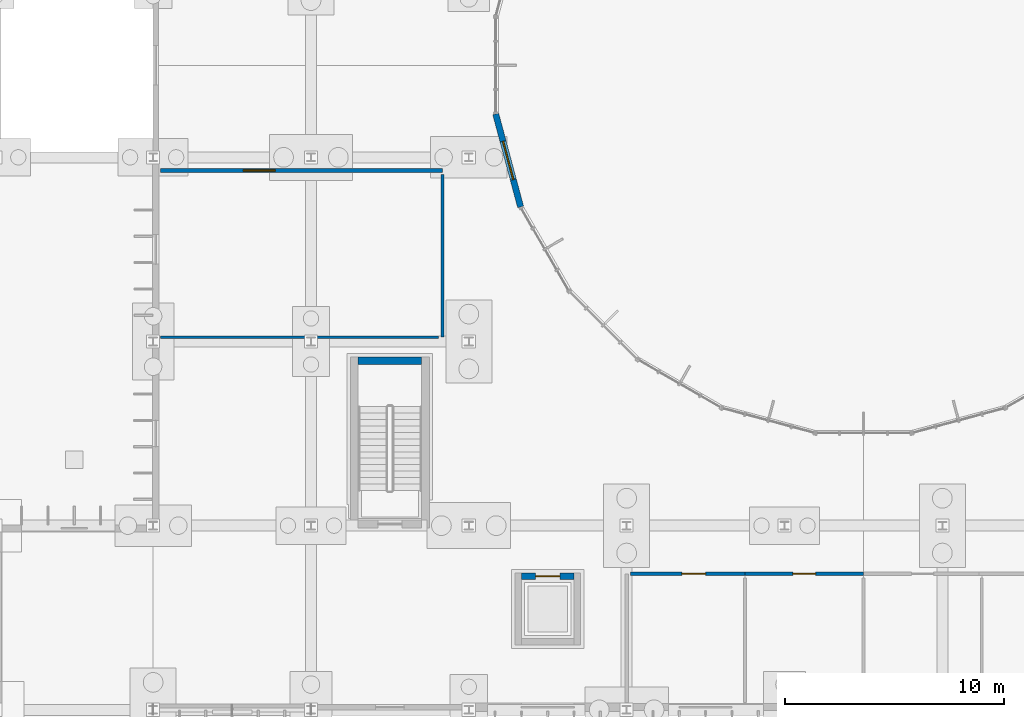
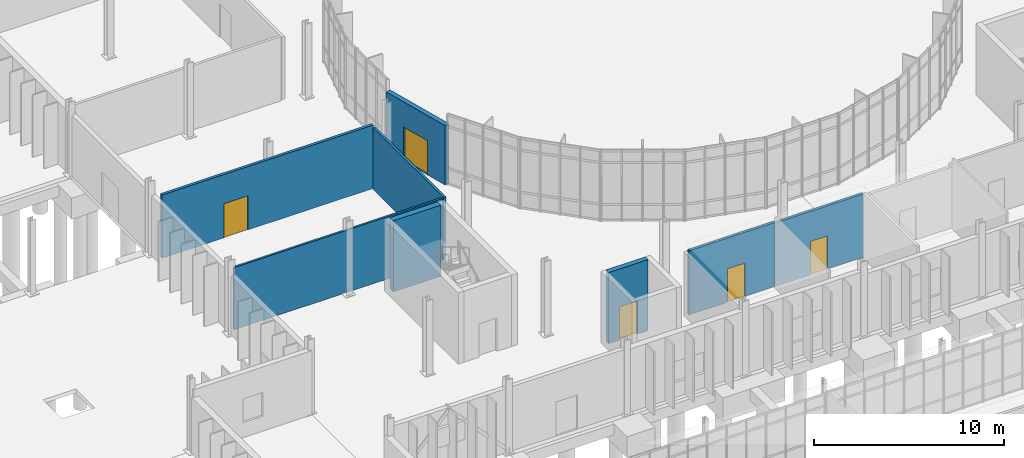
# One storey, part 93 of 118: 8 walls, 5 doors, 5 openings.
"""IFC4 building model written with IfcOpenShell, lengths in metres."""

from ifc_helpers import new_model, si_unit, direction, frame, frame_2d, origin, place, context, subcontext, project, spatial, rectangle, extrude, material, layer, layer_set, type_object, element, fill, save


model = new_model("IFC4")

# Units and contexts
model_context = context("Model", 3, precision=1e-05, world=origin(), true_north=direction((0.0, 1.0)))
body_context = subcontext(model_context, "Body", "Model", "MODEL_VIEW")
ifc_project = project(units=[si_unit("LENGTHUNIT", "METRE"), si_unit("AREAUNIT", "SQUARE_METRE"), si_unit("VOLUMEUNIT", "CUBIC_METRE"), si_unit("PLANEANGLEUNIT", "RADIAN"), si_unit("MASSUNIT", "GRAM", prefix="KILO")], contexts=[model_context])

# Site, building, storey
site_placement = place(None, origin())
site = spatial("IfcSite", under=ifc_project, at=site_placement, CompositionType="ELEMENT")
building_placement = place(site_placement, origin())
building = spatial("IfcBuilding", under=site, at=building_placement, Name="Qelthora Terrace Specialist Clinic", CompositionType="ELEMENT")
storey_placement = place(building_placement, origin())
storey = spatial("IfcBuildingStorey", under=building, at=storey_placement, Name="L00", CompositionType="ELEMENT", Elevation=0.0)

# Wall, opening, door
ifc_material_1 = material(Name="Concrete C40/50", Category="concrete")
ifc_layer_1 = layer(ifc_material_1, 0.300048828125)
ifc_layer_set_1 = layer_set([ifc_layer_1], Name="Concrete C40/50")
wall_type_1 = type_object("IfcWallType", Name="WAL-CORE-300-C40", PredefinedType="SHEAR", material=ifc_layer_set_1)
wall_1_placement = place(storey_placement, frame((110.39990234375, 39.699951171875, 0.0), z_axis=(0.0, 0.0, 1.0), x_axis=(1.0, 0.0, 0.0)))
wall_1 = element("IfcWall", 1, at=wall_1_placement, inside=storey, type_object=wall_type_1, Name="Lift PL-01 L00 north shaft wall", PredefinedType="SHEAR", context=body_context, shape_type="SweptSolid", body=[
    extrude(rectangle(XDim=2.400146484375, YDim=0.300048828125, at=frame_2d((1.2001953125, 0.0))), origin(), (0.0, 0.0, 1.0), 4.580078125),
])
opening_1_placement = place(wall_1_placement, frame((0.64990234375, 0.0, 0.0)))
opening_1 = element("IfcOpeningElement", 2, at=opening_1_placement, cuts=wall_1, Name="Opening LD-PL-01-L00", PredefinedType="OPENING", context=body_context, shape_type="SweptSolid", body=[
    extrude(rectangle(XDim=1.10009765625, YDim=2.14990234375, at=frame_2d((0.550048828125, 1.074951171875))), frame((0.0, 0.159912109375, 0.0), z_axis=(0.0, -1.0, 0.0), x_axis=(1.0, 0.0, 0.0)), (0.0, 0.0, 1.0), 0.320068359375),
])
ifc_material_2 = material(Name="Steel S355", Category="steel")
door_type_1 = type_object("IfcDoorType", Name="DOR-LIFT-1100X2150", OperationType="NOTDEFINED", PredefinedType="DOOR", material=ifc_material_2)
door_1_placement = place(opening_1_placement, origin())
door_1 = element("IfcDoor", 3, at=door_1_placement, inside=storey, type_object=door_type_1, Name="Lift landing sliding door LD-PL-01-L00", OperationType="DOUBLE_DOOR_SLIDING", OverallHeight=2.14990234375, OverallWidth=1.10009765625, PredefinedType="DOOR", context=body_context, shape_type="SweptSolid", body=[
    extrude(rectangle(XDim=1.10009765625, YDim=2.14990234375, at=frame_2d((0.550048828125, 1.074951171875))), frame((0.0, 0.02490234375, 0.0), z_axis=(0.0, -1.0, 0.0), x_axis=(1.0, 0.0, 0.0)), (0.0, 0.0, 1.0), 0.050048828125),
])
fill(opening_1, door_1)

# Wall
ifc_layer_2 = layer(ifc_material_1, 0.35009765625)
ifc_layer_set_2 = layer_set([ifc_layer_2], Name="Concrete C40/50")
wall_type_2 = type_object("IfcWallType", Name="WAL-CORE-350-C40", PredefinedType="SHEAR", material=ifc_layer_set_2)
wall_2_placement = place(storey_placement, frame((102.949951171875, 49.52490234375, 0.0), z_axis=(0.0, 0.0, 1.0), x_axis=(1.0, 0.0, 0.0)))
element("IfcWall", 4, at=wall_2_placement, inside=storey, type_object=wall_type_2, Name="ST-05 L00 north shear core wall", PredefinedType="SHEAR", context=body_context, shape_type="SweptSolid", body=[
    extrude(rectangle(XDim=2.900146484375, YDim=0.35009765625, at=frame_2d((1.4501953125, 0.0))), origin(), (0.0, 0.0, 1.0), 4.580078125),
])

# Wall, opening, door
ifc_material_3 = material(Name="Precast concrete C40/50", Category="concrete")
ifc_layer_3 = layer(ifc_material_3, 0.280029296875)
ifc_layer_set_3 = layer_set([ifc_layer_3], Name="Precast concrete C40/50")
wall_type_3 = type_object("IfcWallType", Name="WAL-EXT-280-PC40", PredefinedType="SOLIDWALL", material=ifc_layer_set_3)
wall_3_placement = place(storey_placement, frame((109.227783203125, 60.776123046875, 0.0), z_axis=(0.0, 0.0, 1.0), x_axis=(0.258795445102, -0.965932149581, 0.0)))
wall_3 = element("IfcWall", 5, at=wall_3_placement, inside=storey, type_object=wall_type_3, Name="Sun court CE portal wall 13", PredefinedType="SOLIDWALL", context=body_context, shape_type="SweptSolid", body=[
    extrude(rectangle(XDim=4.3857421875, YDim=0.280029296875, at=frame_2d((2.19287109375, 0.0))), origin(), (0.0, 0.0, 1.0), 3.820068359375),
])
opening_2_placement = place(wall_3_placement, frame((1.292724609375, 0.0, 0.0)))
opening_2 = element("IfcOpeningElement", 6, at=opening_2_placement, cuts=wall_3, Name="Opening DE-CE-13", PredefinedType="OPENING", context=body_context, shape_type="SweptSolid", body=[
    extrude(rectangle(XDim=1.800048828125, YDim=2.199951171875, at=frame_2d((0.89990234375, 1.10009765625))), frame((0.0, 0.14990234375, 0.0), z_axis=(0.0, -1.0, 0.0), x_axis=(1.0, 0.0, 0.0)), (0.0, 0.0, 1.0), 0.300048828125),
])
door_type_2 = type_object("IfcDoorType", Name="DOR-EXT-1800X2200", OperationType="NOTDEFINED", PredefinedType="DOOR", material=ifc_material_2)
door_2_placement = place(opening_2_placement, origin())
door_2 = element("IfcDoor", 7, at=door_2_placement, inside=storey, type_object=door_type_2, Name="Sun court entrance door DE-CE-13", OperationType="DOUBLE_DOOR_SINGLE_SWING", OverallHeight=2.199951171875, OverallWidth=1.800048828125, PredefinedType="DOOR", context=body_context, shape_type="SweptSolid", body=[
    extrude(rectangle(XDim=1.800048828125, YDim=2.199951171875, at=frame_2d((0.89990234375, 1.10009765625))), frame((0.0, 0.02490234375, 0.0), z_axis=(0.0, -1.0, 0.0), x_axis=(1.0, 0.0, 0.0)), (0.0, 0.0, 1.0), 0.050048828125),
])
fill(opening_2, door_2)

# Wall
ifc_material_4 = material(Name="Gypsum acoustic wallboard", Category="gypsum")
ifc_layer_4 = layer(ifc_material_4, 0.139892578125)
ifc_layer_set_4 = layer_set([ifc_layer_4], Name="Gypsum acoustic wallboard")
wall_type_4 = type_object("IfcWallType", Name="WAL-INT-ACU-140", PredefinedType="PARTITIONING", material=ifc_layer_set_4)
wall_4_placement = place(storey_placement, frame((106.800048828125, 58.02001953125, 0.0), z_axis=(0.0, 0.0, 1.0), x_axis=(0.0, -1.0, 0.0)))
element("IfcWall", 8, at=wall_4_placement, inside=storey, type_object=wall_type_4, Name="Interior clinical partition IWAL-L00-0119", PredefinedType="PARTITIONING", context=body_context, shape_type="SweptSolid", body=[
    extrude(rectangle(XDim=7.419921875, YDim=0.139892578125, at=frame_2d((3.7099609375, 0.0))), origin(), (0.0, 0.0, 1.0), 4.008056640625),
])

# Wall, opening, door
ifc_material_5 = material(Name="Gypsum fire-rated wallboard", Category="gypsum")
ifc_layer_5 = layer(ifc_material_5, 0.159912109375)
ifc_layer_set_5 = layer_set([ifc_layer_5], Name="Gypsum fire-rated wallboard")
wall_type_5 = type_object("IfcWallType", Name="WAL-INT-COR-160", PredefinedType="PARTITIONING", material=ifc_layer_set_5)
wall_5_placement = place(storey_placement, frame((115.3798828125, 39.800048828125, 0.0), z_axis=(0.0, 0.0, 1.0), x_axis=(1.0, 0.0, 0.0)))
wall_5 = element("IfcWall", 9, at=wall_5_placement, inside=storey, type_object=wall_type_5, Name="Interior clinical partition IWAL-L00-0086", PredefinedType="PARTITIONING", context=body_context, shape_type="SweptSolid", body=[
    extrude(rectangle(XDim=5.22021484375, YDim=0.159912109375, at=frame_2d((2.610107421875, 0.0))), origin(), (0.0, 0.0, 1.0), 4.135009765625),
])
opening_3_placement = place(wall_5_placement, frame((2.340087890625, 0.0, 0.0)))
opening_3 = element("IfcOpeningElement", 10, at=opening_3_placement, cuts=wall_5, Name="Opening DI-L00-0034", PredefinedType="OPENING", context=body_context, shape_type="SweptSolid", body=[
    extrude(rectangle(XDim=1.080078125, YDim=2.14990234375, at=frame_2d((0.5400390625, 1.074951171875))), frame((0.0, 0.08984375, 0.0), z_axis=(0.0, -1.0, 0.0), x_axis=(1.0, 0.0, 0.0)), (0.0, 0.0, 1.0), 0.179931640625),
])
ifc_material_6 = material(Name="Glulam timber GL28h", Category="wood")
door_type_3 = type_object("IfcDoorType", Name="DOR-CON-1080X2150", OperationType="NOTDEFINED", PredefinedType="DOOR", material=ifc_material_6)
door_3_placement = place(opening_3_placement, frame((1.080078125, 0.0, 0.0), z_axis=(0.0, 0.0, 1.0), x_axis=(-1.0, 0.0, 0.0)))
door_3 = element("IfcDoor", 11, at=door_3_placement, inside=storey, type_object=door_type_3, Name="Interior clinical door DI-L00-0034", OperationType="SINGLE_SWING_LEFT", OverallHeight=2.14990234375, OverallWidth=1.080078125, PredefinedType="DOOR", context=body_context, shape_type="SweptSolid", body=[
    extrude(rectangle(XDim=1.080078125, YDim=2.14990234375, at=frame_2d((0.5400390625, 1.074951171875))), frame((0.0, 0.02490234375, 0.0), z_axis=(0.0, -1.0, 0.0), x_axis=(1.0, 0.0, 0.0)), (0.0, 0.0, 1.0), 0.050048828125),
])
fill(opening_3, door_3)

wall_6_placement = place(storey_placement, frame((120.465087890625, 39.800048828125, 0.0), z_axis=(0.0, 0.0, 1.0), x_axis=(1.0, 0.0, 0.0)))
wall_6 = element("IfcWall", 12, at=wall_6_placement, inside=storey, type_object=wall_type_5, Name="Interior clinical partition IWAL-L00-0088", PredefinedType="PARTITIONING", context=body_context, shape_type="SweptSolid", body=[
    extrude(rectangle(XDim=5.534912109375, YDim=0.159912109375, at=frame_2d((2.767578125, 0.0))), origin(), (0.0, 0.0, 1.0), 4.0791015625),
])
opening_4_placement = place(wall_6_placement, frame((2.3173828125, 0.0, 0.0)))
opening_4 = element("IfcOpeningElement", 13, at=opening_4_placement, cuts=wall_6, Name="Opening DI-L00-0035", PredefinedType="OPENING", context=body_context, shape_type="SweptSolid", body=[
    extrude(rectangle(XDim=1.0400390625, YDim=2.14990234375, at=frame_2d((0.52001953125, 1.074951171875))), frame((0.0, 0.08984375, 0.0), z_axis=(0.0, -1.0, 0.0), x_axis=(1.0, 0.0, 0.0)), (0.0, 0.0, 1.0), 0.179931640625),
])
door_type_4 = type_object("IfcDoorType", Name="DOR-CON-1040X2150", OperationType="NOTDEFINED", PredefinedType="DOOR", material=ifc_material_6)
door_4_placement = place(opening_4_placement, frame((1.0400390625, 0.0, 0.0), z_axis=(0.0, 0.0, 1.0), x_axis=(-1.0, 0.0, 0.0)))
door_4 = element("IfcDoor", 14, at=door_4_placement, inside=storey, type_object=door_type_4, Name="Interior clinical door DI-L00-0035", OperationType="SINGLE_SWING_RIGHT", OverallHeight=2.14990234375, OverallWidth=1.0400390625, PredefinedType="DOOR", context=body_context, shape_type="SweptSolid", body=[
    extrude(rectangle(XDim=1.0400390625, YDim=2.14990234375, at=frame_2d((0.52001953125, 1.074951171875))), frame((0.0, 0.02490234375, 0.0), z_axis=(0.0, -1.0, 0.0), x_axis=(1.0, 0.0, 0.0)), (0.0, 0.0, 1.0), 0.050048828125),
])
fill(opening_4, door_4)

wall_7_placement = place(storey_placement, frame((93.93994140625, 58.199951171875, 0.0), z_axis=(0.0, 0.0, 1.0), x_axis=(1.0, 0.0, 0.0)))
wall_7 = element("IfcWall", 15, at=wall_7_placement, inside=storey, type_object=wall_type_5, Name="Interior clinical partition IWAL-L00-0118", PredefinedType="PARTITIONING", context=body_context, shape_type="SweptSolid", body=[
    extrude(rectangle(XDim=12.860107421875, YDim=0.159912109375, at=frame_2d((6.43017578125, 0.0))), origin(), (0.0, 0.0, 1.0), 4.0791015625),
])
opening_5_placement = place(wall_7_placement, frame((3.77490234375, 0.0, 0.0)))
opening_5 = element("IfcOpeningElement", 16, at=opening_5_placement, cuts=wall_7, Name="Opening DI-L00-0046", PredefinedType="OPENING", context=body_context, shape_type="SweptSolid", body=[
    extrude(rectangle(XDim=1.449951171875, YDim=2.199951171875, at=frame_2d((0.72509765625, 1.10009765625))), frame((0.0, 0.08984375, 0.0), z_axis=(0.0, -1.0, 0.0), x_axis=(1.0, 0.0, 0.0)), (0.0, 0.0, 1.0), 0.179931640625),
])
door_type_5 = type_object("IfcDoorType", Name="DOR-LAB-1450X2200", OperationType="NOTDEFINED", PredefinedType="DOOR", material=ifc_material_2)
door_5_placement = place(opening_5_placement, frame((1.449951171875, 0.0, 0.0), z_axis=(0.0, 0.0, 1.0), x_axis=(-1.0, 0.0, 0.0)))
door_5 = element("IfcDoor", 17, at=door_5_placement, inside=storey, type_object=door_type_5, Name="Interior clinical door DI-L00-0046", OperationType="SINGLE_SWING_LEFT", OverallHeight=2.199951171875, OverallWidth=1.449951171875, PredefinedType="DOOR", context=body_context, shape_type="SweptSolid", body=[
    extrude(rectangle(XDim=1.449951171875, YDim=2.199951171875, at=frame_2d((0.72509765625, 1.10009765625))), frame((0.0, 0.02490234375, 0.0), z_axis=(0.0, -1.0, 0.0), x_axis=(1.0, 0.0, 0.0)), (0.0, 0.0, 1.0), 0.050048828125),
])
fill(opening_5, door_5)

# Wall
ifc_layer_6 = layer(ifc_material_4, 0.1201171875)
ifc_layer_set_6 = layer_set([ifc_layer_6], Name="Gypsum acoustic wallboard")
wall_type_6 = type_object("IfcWallType", Name="WAL-INT-STD-120", PredefinedType="PARTITIONING", material=ifc_layer_set_6)
wall_8_placement = place(storey_placement, frame((106.6201171875, 50.60009765625, 0.0), z_axis=(0.0, 0.0, 1.0), x_axis=(-1.0, 0.0, 0.0)))
element("IfcWall", 18, at=wall_8_placement, inside=storey, type_object=wall_type_6, Name="Interior clinical partition IWAL-L00-0120", PredefinedType="PARTITIONING", context=body_context, shape_type="SweptSolid", body=[
    extrude(rectangle(XDim=12.68017578125, YDim=0.1201171875, at=frame_2d((6.340087890625, 0.0))), origin(), (0.0, 0.0, 1.0), 4.0009765625),
])

save(model, "model.ifc")
